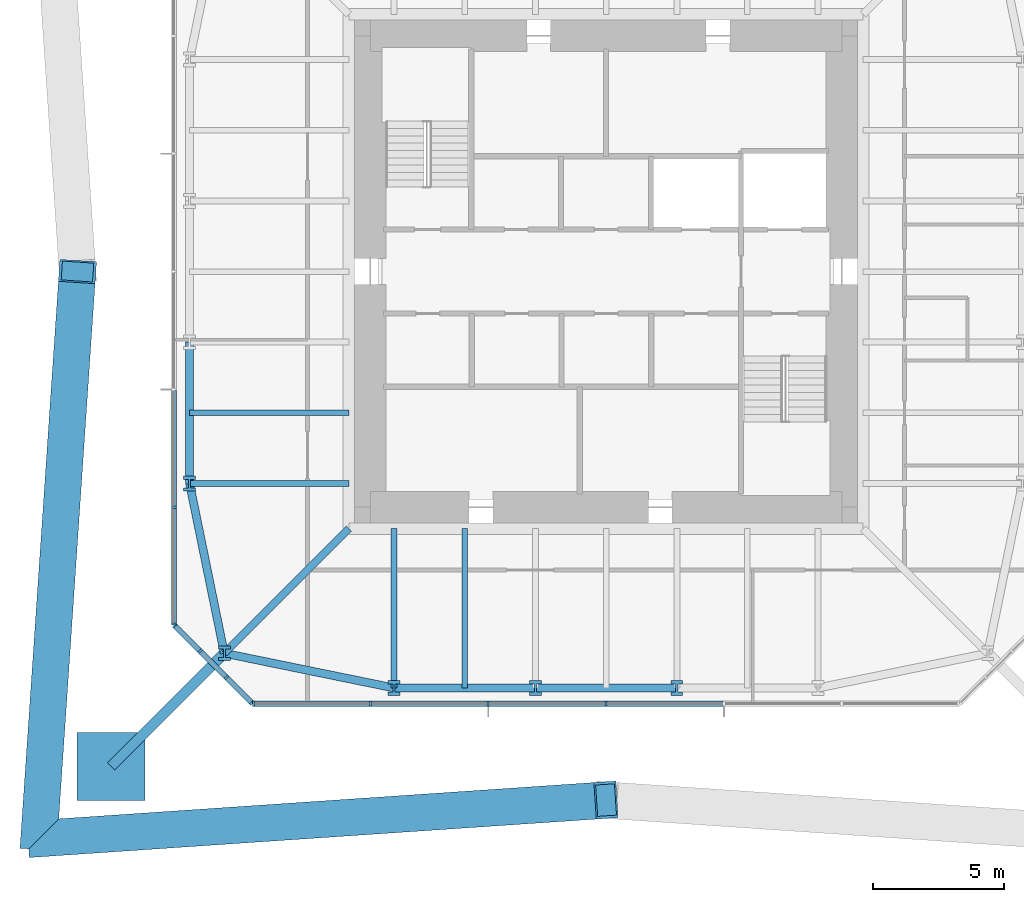
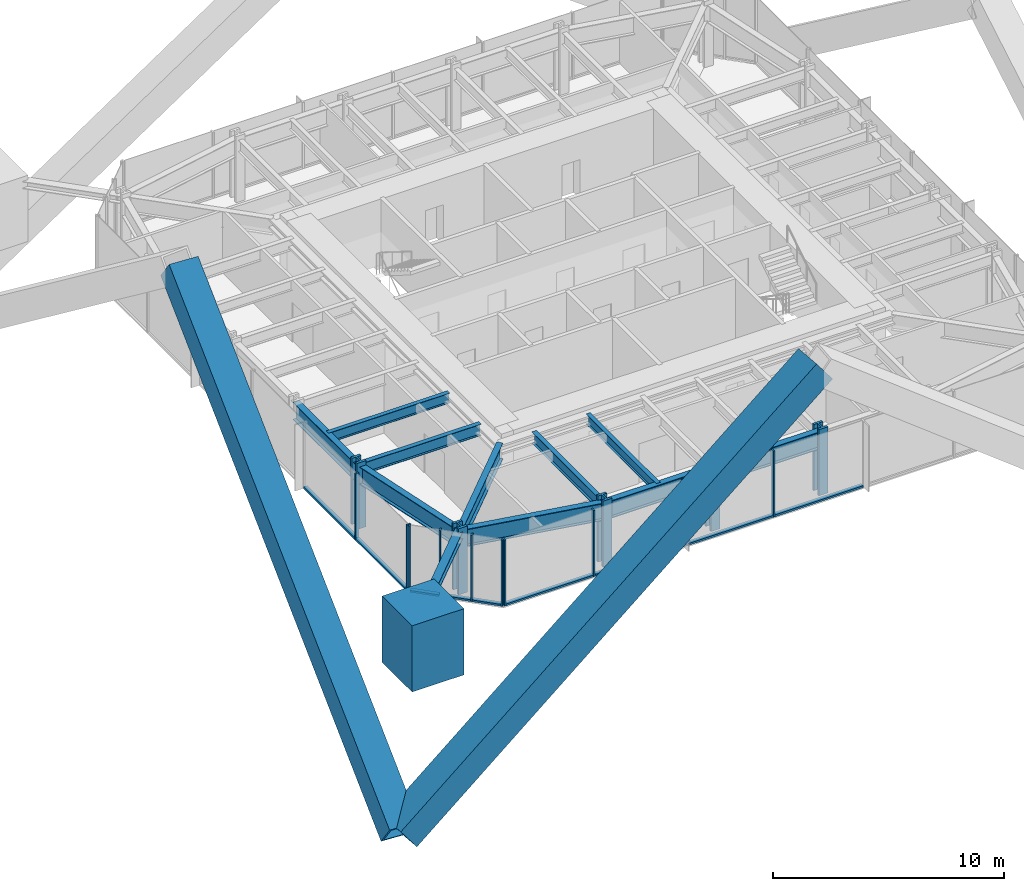
# One storey, part 1 of 11: 28 members, 10 beams, 3 elements without a shape of their own.
"""IFC4 building model written with IfcOpenShell, lengths in metres."""

from ifc_helpers import new_model, si_unit, direction, frame, origin, origin_2d, place, context, subcontext, project, spatial, rectangle, hollow_rectangle, i_section, extrude, material, material_profile, profile_set, type_object, element, aggregate, save


model = new_model("IFC4")

# Units and contexts
model_context = context("Model", 3, precision=1e-05, world=origin(), true_north=direction((0.0, 1.0)))
body_context = subcontext(model_context, "Body", "Model", "MODEL_VIEW")
ifc_project = project(units=[si_unit("LENGTHUNIT", "METRE"), si_unit("AREAUNIT", "SQUARE_METRE"), si_unit("VOLUMEUNIT", "CUBIC_METRE"), si_unit("PLANEANGLEUNIT", "RADIAN"), si_unit("MASSUNIT", "GRAM", prefix="KILO")], contexts=[model_context])

# Site, building, storey
site_placement = place(None, origin())
site = spatial("IfcSite", under=ifc_project, at=site_placement, CompositionType="ELEMENT")
building_placement = place(site_placement, origin())
building = spatial("IfcBuilding", under=site, at=building_placement, Name="Iwan Alto Co-Living Towers", CompositionType="ELEMENT")
storey_placement = place(building_placement, frame((0.0, 0.0, 215.0)))
storey = spatial("IfcBuildingStorey", under=building, at=storey_placement, Name="L58", CompositionType="ELEMENT", Elevation=215.0)

# Curtain wall, members
ifc_material_1 = material(Name="Bronze aluminium unitised frame", Category="aluminium")
curtain_wall_type_1 = type_object("IfcCurtainWallType", Name="CURTAIN WALL CW-A", PredefinedType="NOTDEFINED", material=ifc_material_1)
curtain_wall_1_placement = place(storey_placement, origin())
curtain_wall_1 = element("IfcCurtainWall", 1, at=curtain_wall_1_placement, inside=storey, type_object=curtain_wall_type_1, Name="T1 curtain wall S L58", PredefinedType="NOTDEFINED")
ifc_material_2 = material(Name="Aluminium 6063-T6 bronze anodised", Category="aluminium")
ifc_material_profile_1 = material_profile(ifc_material_2, rectangle(XDim=0.199951171875, YDim=0.080078125, at=origin_2d()), Name="AL 80X200")
ifc_profile_set_1 = profile_set([ifc_material_profile_1], Name="Aluminium 6063-T6 bronze anodised")
member_type_1 = type_object("IfcMemberType", Name="CW-A MULLION 80X200", PredefinedType="MULLION", material=ifc_profile_set_1)
member_1_placement = place(storey_placement, frame((-13.4599609375, -16.5, 0.0), z_axis=(0.0, 0.0, 1.0), x_axis=(0.0, 1.0, 0.0)))
member_1 = element("IfcMember", 2, at=member_1_placement, type_object=member_type_1, Name="CW-A mullion 1", PredefinedType="MULLION", context=body_context, shape_type="SweptSolid", body=[
    extrude(rectangle(XDim=0.199951171875, YDim=0.080078125, at=origin_2d()), origin(), (0.0, 0.0, 1.0), 3.5),
])
member_2_placement = place(storey_placement, frame((-9.0, -16.5, 0.0), z_axis=(0.0, 0.0, 1.0), x_axis=(0.0, 1.0, 0.0)))
member_2 = element("IfcMember", 3, at=member_2_placement, type_object=member_type_1, Name="CW-A mullion 2", PredefinedType="MULLION", context=body_context, shape_type="SweptSolid", body=[
    extrude(rectangle(XDim=0.199951171875, YDim=0.080078125, at=origin_2d()), origin(), (0.0, 0.0, 1.0), 3.5),
])
member_3_placement = place(storey_placement, frame((-4.5, -16.5, 0.0), z_axis=(0.0, 0.0, 1.0), x_axis=(0.0, 1.0, 0.0)))
member_3 = element("IfcMember", 4, at=member_3_placement, type_object=member_type_1, Name="CW-A mullion 3", PredefinedType="MULLION", context=body_context, shape_type="SweptSolid", body=[
    extrude(rectangle(XDim=0.199951171875, YDim=0.080078125, at=origin_2d()), origin(), (0.0, 0.0, 1.0), 3.5),
])
member_4_placement = place(storey_placement, frame((0.0, -16.5, 0.0), z_axis=(0.0, 0.0, 1.0), x_axis=(0.0, 1.0, 0.0)))
member_4 = element("IfcMember", 5, at=member_4_placement, type_object=member_type_1, Name="CW-A mullion 4", PredefinedType="MULLION", context=body_context, shape_type="SweptSolid", body=[
    extrude(rectangle(XDim=0.199951171875, YDim=0.080078125, at=origin_2d()), origin(), (0.0, 0.0, 1.0), 3.5),
])

curtain_wall_2_placement = place(storey_placement, origin())
curtain_wall_2 = element("IfcCurtainWall", 6, at=curtain_wall_2_placement, inside=storey, type_object=curtain_wall_type_1, Name="T1 curtain wall W L58", PredefinedType="NOTDEFINED")
member_5_placement = place(storey_placement, frame((-16.5, -9.0, 0.0), z_axis=(0.0, 0.0, 1.0), x_axis=(1.0, 0.0, 0.0)))
member_5 = element("IfcMember", 7, at=member_5_placement, type_object=member_type_1, Name="CW-A mullion 6", PredefinedType="MULLION", context=body_context, shape_type="SweptSolid", body=[
    extrude(rectangle(XDim=0.199951171875, YDim=0.080078125, at=origin_2d()), origin(), (0.0, 0.0, 1.0), 3.5),
])
member_6_placement = place(storey_placement, frame((-16.5, -13.4599609375, 0.0), z_axis=(0.0, 0.0, 1.0), x_axis=(1.0, 0.0, 0.0)))
member_6 = element("IfcMember", 8, at=member_6_placement, type_object=member_type_1, Name="CW-A mullion 7", PredefinedType="MULLION", context=body_context, shape_type="SweptSolid", body=[
    extrude(rectangle(XDim=0.199951171875, YDim=0.080078125, at=origin_2d()), origin(), (0.0, 0.0, 1.0), 3.5),
])

# Member
ifc_material_3 = material(Name="Aluminium 6063-T6 bronze anodised", Category="aluminium")
ifc_material_profile_2 = material_profile(ifc_material_3, rectangle(XDim=0.199951171875, YDim=0.10009765625, at=origin_2d()), Name="AL 200X100")
ifc_profile_set_2 = profile_set([ifc_material_profile_2], Name="Aluminium 6063-T6 bronze anodised")
member_type_2 = type_object("IfcMemberType", Name="CW-A TRANSOM 200X100", PredefinedType="USERDEFINED", material=ifc_profile_set_2)
member_7_placement = place(storey_placement, frame((-13.419921875, -16.5, 0.050048828125), z_axis=(1.0, 0.0, 0.0), x_axis=(0.0, 1.0, 0.0)))
member_7 = element("IfcMember", 9, at=member_7_placement, type_object=member_type_2, Name="CW-A transom 1.1", ObjectType="TRANSOM", PredefinedType="USERDEFINED", context=body_context, shape_type="SweptSolid", body=[
    extrude(rectangle(XDim=0.199951171875, YDim=0.10009765625, at=origin_2d()), origin(), (0.0, 0.0, 1.0), 4.3798828125),
])

member_8_placement = place(storey_placement, frame((-8.9599609375, -16.5, 0.050048828125), z_axis=(1.0, 0.0, 0.0), x_axis=(0.0, 1.0, 0.0)))
member_8 = element("IfcMember", 10, at=member_8_placement, type_object=member_type_2, Name="CW-A transom 2.1", ObjectType="TRANSOM", PredefinedType="USERDEFINED", context=body_context, shape_type="SweptSolid", body=[
    extrude(rectangle(XDim=0.199951171875, YDim=0.10009765625, at=origin_2d()), origin(), (0.0, 0.0, 1.0), 4.419921875),
])

member_9_placement = place(storey_placement, frame((-4.4599609375, -16.5, 0.050048828125), z_axis=(1.0, 0.0, 0.0), x_axis=(0.0, 1.0, 0.0)))
member_9 = element("IfcMember", 11, at=member_9_placement, type_object=member_type_2, Name="CW-A transom 3.1", ObjectType="TRANSOM", PredefinedType="USERDEFINED", context=body_context, shape_type="SweptSolid", body=[
    extrude(rectangle(XDim=0.199951171875, YDim=0.10009765625, at=origin_2d()), origin(), (0.0, 0.0, 1.0), 4.419921875),
])

member_10_placement = place(storey_placement, frame((0.0400390625, -16.5, 0.050048828125), z_axis=(1.0, 0.0, 0.0), x_axis=(0.0, 1.0, 0.0)))
member_10 = element("IfcMember", 12, at=member_10_placement, type_object=member_type_2, Name="CW-A transom 4.1", ObjectType="TRANSOM", PredefinedType="USERDEFINED", context=body_context, shape_type="SweptSolid", body=[
    extrude(rectangle(XDim=0.199951171875, YDim=0.10009765625, at=origin_2d()), origin(), (0.0, 0.0, 1.0), 4.419921875),
])

aggregate(curtain_wall_1, [member_1, member_2, member_3, member_4, member_7, member_8, member_9, member_10])

member_11_placement = place(storey_placement, frame((-16.5, -4.5400390625, 0.050048828125), z_axis=(0.0, -1.0, 0.0), x_axis=(1.0, 0.0, 0.0)))
member_11 = element("IfcMember", 13, at=member_11_placement, type_object=member_type_2, Name="CW-A transom 5.1", ObjectType="TRANSOM", PredefinedType="USERDEFINED", context=body_context, shape_type="SweptSolid", body=[
    extrude(rectangle(XDim=0.199951171875, YDim=0.10009765625, at=origin_2d()), origin(), (0.0, 0.0, 1.0), 4.419921875),
])

member_12_placement = place(storey_placement, frame((-16.5, -9.0400390625, 0.050048828125), z_axis=(0.0, -1.0, 0.0), x_axis=(1.0, 0.0, 0.0)))
member_12 = element("IfcMember", 14, at=member_12_placement, type_object=member_type_2, Name="CW-A transom 6.1", ObjectType="TRANSOM", PredefinedType="USERDEFINED", context=body_context, shape_type="SweptSolid", body=[
    extrude(rectangle(XDim=0.199951171875, YDim=0.10009765625, at=origin_2d()), origin(), (0.0, 0.0, 1.0), 4.3798828125),
])

aggregate(curtain_wall_2, [member_5, member_6, member_11, member_12])

# Curtain wall, members
ifc_material_4 = material(Name="Bronze aluminium unitised frame", Category="aluminium")
curtain_wall_type_2 = type_object("IfcCurtainWallType", Name="CURTAIN WALL CW-B", PredefinedType="NOTDEFINED", material=ifc_material_4)
curtain_wall_3_placement = place(storey_placement, origin())
curtain_wall_3 = element("IfcCurtainWall", 15, at=curtain_wall_3_placement, inside=storey, type_object=curtain_wall_type_2, Name="T1 chamfer curtain wall SW L58", PredefinedType="NOTDEFINED")
ifc_material_5 = material(Name="Aluminium 6063-T6 bronze anodised", Category="aluminium")
ifc_material_profile_3 = material_profile(ifc_material_5, rectangle(XDim=0.199951171875, YDim=0.080078125, at=origin_2d()), Name="AL 80X200")
ifc_profile_set_3 = profile_set([ifc_material_profile_3], Name="Aluminium 6063-T6 bronze anodised")
member_type_3 = type_object("IfcMemberType", Name="CW-B MULLION 80X200", PredefinedType="MULLION", material=ifc_profile_set_3)
member_13_placement = place(storey_placement, frame((-16.4716796875, -13.5283203125, 0.0), z_axis=(0.0, 0.0, 1.0), x_axis=(0.707106781187, 0.707106781187, 0.0)))
member_13 = element("IfcMember", 16, at=member_13_placement, type_object=member_type_3, Name="CW-B mullion 1", PredefinedType="MULLION", context=body_context, shape_type="SweptSolid", body=[
    extrude(rectangle(XDim=0.199951171875, YDim=0.080078125, at=origin_2d()), origin(), (0.0, 0.0, 1.0), 3.5),
])
member_14_placement = place(storey_placement, frame((-15.5, -14.5, 0.0), z_axis=(0.0, 0.0, 1.0), x_axis=(0.707106781187, 0.707106781187, 0.0)))
member_14 = element("IfcMember", 17, at=member_14_placement, type_object=member_type_3, Name="CW-B mullion 2", PredefinedType="MULLION", context=body_context, shape_type="SweptSolid", body=[
    extrude(rectangle(XDim=0.199951171875, YDim=0.080078125, at=origin_2d()), origin(), (0.0, 0.0, 1.0), 3.5),
])
member_15_placement = place(storey_placement, frame((-14.5, -15.5, 0.0), z_axis=(0.0, 0.0, 1.0), x_axis=(0.707106781187, 0.707106781187, 0.0)))
member_15 = element("IfcMember", 18, at=member_15_placement, type_object=member_type_3, Name="CW-B mullion 3", PredefinedType="MULLION", context=body_context, shape_type="SweptSolid", body=[
    extrude(rectangle(XDim=0.199951171875, YDim=0.080078125, at=origin_2d()), origin(), (0.0, 0.0, 1.0), 3.5),
])
member_16_placement = place(storey_placement, frame((-13.5283203125, -16.4716796875, 0.0), z_axis=(0.0, 0.0, 1.0), x_axis=(0.707106781187, 0.707106781187, 0.0)))
member_16 = element("IfcMember", 19, at=member_16_placement, type_object=member_type_3, Name="CW-B mullion 4", PredefinedType="MULLION", context=body_context, shape_type="SweptSolid", body=[
    extrude(rectangle(XDim=0.199951171875, YDim=0.080078125, at=origin_2d()), origin(), (0.0, 0.0, 1.0), 3.5),
])
ifc_material_6 = material(Name="Aluminium 6063-T6 bronze anodised", Category="aluminium")
ifc_material_profile_4 = material_profile(ifc_material_6, rectangle(XDim=0.199951171875, YDim=0.10009765625, at=origin_2d()), Name="AL 200X100")
ifc_profile_set_4 = profile_set([ifc_material_profile_4], Name="Aluminium 6063-T6 bronze anodised")
member_type_4 = type_object("IfcMemberType", Name="CW-B TRANSOM 200X100", PredefinedType="USERDEFINED", material=ifc_profile_set_4)
member_17_placement = place(storey_placement, frame((-16.443359375, -13.556640625, 0.050048828125), z_axis=(0.707106781187, -0.707106781187, 0.0), x_axis=(0.707106781187, 0.707106781187, 0.0)))
member_17 = element("IfcMember", 20, at=member_17_placement, type_object=member_type_4, Name="CW-B transom 1.1", ObjectType="TRANSOM", PredefinedType="USERDEFINED", context=body_context, shape_type="SweptSolid", body=[
    extrude(rectangle(XDim=0.199951171875, YDim=0.10009765625, at=origin_2d()), origin(), (0.0, 0.0, 1.0), 1.2939453125),
])
member_18_placement = place(storey_placement, frame((-15.4716796875, -14.5283203125, 0.050048828125), z_axis=(0.707106781187, -0.707106781187, 0.0), x_axis=(0.707106781187, 0.707106781187, 0.0)))
member_18 = element("IfcMember", 21, at=member_18_placement, type_object=member_type_4, Name="CW-B transom 2.1", ObjectType="TRANSOM", PredefinedType="USERDEFINED", context=body_context, shape_type="SweptSolid", body=[
    extrude(rectangle(XDim=0.199951171875, YDim=0.10009765625, at=origin_2d()), origin(), (0.0, 0.0, 1.0), 1.334228515625),
])
member_19_placement = place(storey_placement, frame((-14.4716796875, -15.5283203125, 0.050048828125), z_axis=(0.707106781187, -0.707106781187, 0.0), x_axis=(0.707106781187, 0.707106781187, 0.0)))
member_19 = element("IfcMember", 22, at=member_19_placement, type_object=member_type_4, Name="CW-B transom 3.1", ObjectType="TRANSOM", PredefinedType="USERDEFINED", context=body_context, shape_type="SweptSolid", body=[
    extrude(rectangle(XDim=0.199951171875, YDim=0.10009765625, at=origin_2d()), origin(), (0.0, 0.0, 1.0), 1.2939453125),
])
aggregate(curtain_wall_3, [member_13, member_14, member_15, member_16, member_17, member_18, member_19])

# Beams
ifc_material_7 = material(Name="Steel ASTM A992 Gr 50", Category="steel")
ifc_material_profile_5 = material_profile(ifc_material_7, i_section(OverallWidth=0.2919921875, OverallDepth=0.8408203125, WebThickness=0.0146484375, FlangeThickness=0.021728515625, at=origin_2d()), Name="W33X130")
ifc_profile_set_5 = profile_set([ifc_material_profile_5], Name="Steel ASTM A992 Gr 50")
beam_type_1 = type_object("IfcBeamType", Name="T1 CORNER GIRDER W33X130", PredefinedType="BEAM", material=ifc_profile_set_5)
beam_1_placement = place(storey_placement, frame((-14.57568359375, -14.57568359375, 2.849609375), z_axis=(0.707106781187, 0.707106781187, 0.0), x_axis=(-0.707106781187, 0.707106781187, 0.0)))
element("IfcBeam", 23, at=beam_1_placement, inside=storey, type_object=beam_type_1, Name="T1 corner girder CSW L59", PredefinedType="BEAM", context=body_context, shape_type="SweptSolid", body=[
    extrude(i_section(OverallWidth=0.2919921875, OverallDepth=0.8408203125, WebThickness=0.0146484375, FlangeThickness=0.021728515625, at=origin_2d()), origin(), (0.0, 0.0, 1.0), 6.727783203125),
])
ifc_material_8 = material(Name="Steel ASTM A992 Gr 50", Category="steel")
ifc_material_profile_6 = material_profile(ifc_material_8, i_section(OverallWidth=0.307373046875, OverallDepth=0.927001953125, WebThickness=0.01953125, FlangeThickness=0.031982421875, at=origin_2d()), Name="W36X194")
ifc_profile_set_6 = profile_set([ifc_material_profile_6], Name="Steel ASTM A992 Gr 50")
beam_type_2 = type_object("IfcBeamType", Name="T1 EDGE BEAM W36X194", PredefinedType="BEAM", material=ifc_profile_set_6)
beam_2_placement = place(storey_placement, frame((-14.57568359375, -14.57568359375, 2.806396484375), z_axis=(0.979724820103, -0.200347889618, 0.0), x_axis=(0.200347889618, 0.979724820103, 0.0)))
element("IfcBeam", 24, at=beam_2_placement, inside=storey, type_object=beam_type_2, Name="T1 edge beam CSW L59", PredefinedType="BEAM", context=body_context, shape_type="SweptSolid", body=[
    extrude(i_section(OverallWidth=0.307373046875, OverallDepth=0.927001953125, WebThickness=0.01953125, FlangeThickness=0.031982421875, at=origin_2d()), origin(), (0.0, 0.0, 1.0), 6.609619140625),
])
beam_3_placement = place(storey_placement, frame((-8.10009765625, -15.89990234375, 2.806396484375), z_axis=(1.0, 0.0, 0.0), x_axis=(0.0, 1.0, 0.0)))
element("IfcBeam", 25, at=beam_3_placement, inside=storey, type_object=beam_type_2, Name="T1 edge beam S1 L59", PredefinedType="BEAM", context=body_context, shape_type="SweptSolid", body=[
    extrude(i_section(OverallWidth=0.307373046875, OverallDepth=0.927001953125, WebThickness=0.01953125, FlangeThickness=0.031982421875, at=origin_2d()), origin(), (0.0, 0.0, 1.0), 5.400146484375),
])
beam_4_placement = place(storey_placement, frame((-2.699951171875, -15.89990234375, 2.806396484375), z_axis=(1.0, 0.0, 0.0), x_axis=(0.0, 1.0, 0.0)))
element("IfcBeam", 26, at=beam_4_placement, inside=storey, type_object=beam_type_2, Name="T1 edge beam S2 L59", PredefinedType="BEAM", context=body_context, shape_type="SweptSolid", body=[
    extrude(i_section(OverallWidth=0.307373046875, OverallDepth=0.927001953125, WebThickness=0.01953125, FlangeThickness=0.031982421875, at=origin_2d()), origin(), (0.0, 0.0, 1.0), 5.39990234375),
])
beam_5_placement = place(storey_placement, frame((-15.89990234375, -2.699951171875, 2.806396484375), z_axis=(0.0, -1.0, 0.0), x_axis=(1.0, 0.0, 0.0)))
element("IfcBeam", 27, at=beam_5_placement, inside=storey, type_object=beam_type_2, Name="T1 edge beam W3 L59", PredefinedType="BEAM", context=body_context, shape_type="SweptSolid", body=[
    extrude(i_section(OverallWidth=0.307373046875, OverallDepth=0.927001953125, WebThickness=0.01953125, FlangeThickness=0.031982421875, at=origin_2d()), origin(), (0.0, 0.0, 1.0), 5.400146484375),
])
beam_6_placement = place(storey_placement, frame((-15.89990234375, -8.10009765625, 2.806396484375), z_axis=(0.200347889618, -0.979724820103, 0.0), x_axis=(0.979724820103, 0.200347889618, 0.0)))
element("IfcBeam", 28, at=beam_6_placement, inside=storey, type_object=beam_type_2, Name="T1 edge beam W4 L59", PredefinedType="BEAM", context=body_context, shape_type="SweptSolid", body=[
    extrude(i_section(OverallWidth=0.307373046875, OverallDepth=0.927001953125, WebThickness=0.01953125, FlangeThickness=0.031982421875, at=origin_2d()), origin(), (0.0, 0.0, 1.0), 6.609619140625),
])

# Members
ifc_material_9 = material(Name="Steel ASTM A572 Gr 50", Category="steel")
ifc_material_profile_7 = material_profile(ifc_material_9, hollow_rectangle(XDim=1.39990234375, YDim=1.39990234375, WallThickness=0.10009765625, at=origin_2d()), Name="BOX 1400X1400X100")
ifc_profile_set_7 = profile_set([ifc_material_profile_7], Name="Steel ASTM A572 Gr 50")
member_type_5 = type_object("IfcMemberType", Name="T1 MEGA BRACE BOX 1400X1400X100", PredefinedType="BRACE", material=ifc_profile_set_7)
for number, where, z_axis, x_axis, name in (
    (29, (-21.64990234375, -21.64990234375, -6.0), (0.797999656611, 0.054119059235, 0.600223021448), (-0.067662975304, 0.997708234793, 0.0), "T1 mega brace Z4A S 1 lower"),
    (30, (-21.64990234375, -21.64990234375, -6.0), (0.054119059235, 0.797999656611, 0.600223021448), (-0.997708234793, 0.067662975304, 0.0), "T1 mega brace Z4A W 2 lower"),
):
    element("IfcMember", number, at=place(storey_placement, frame(where, z_axis=z_axis, x_axis=x_axis)), inside=storey, type_object=member_type_5, Name=name, PredefinedType="BRACE", context=body_context, shape_type="SweptSolid", body=[
        extrude(hollow_rectangle(XDim=1.39990234375, YDim=1.39990234375, WallThickness=0.10009765625, at=origin_2d()), origin(), (0.0, 0.0, 1.0), 27.130126953125),
    ])
ifc_material_10 = material(Name="Steel ASTM A992 Gr 50", Category="steel")
ifc_material_profile_8 = material_profile(ifc_material_10, i_section(OverallWidth=0.393798828125, OverallDepth=0.3759765625, WebThickness=0.017333984375, FlangeThickness=0.027587890625, at=origin_2d()), Name="W14X145")
ifc_profile_set_8 = profile_set([ifc_material_profile_8], Name="Steel ASTM A992 Gr 50")
member_type_6 = type_object("IfcMemberType", Name="T1 MEGA COLUMN FLOOR TIE W14X145", PredefinedType="STRUT", material=ifc_profile_set_8)
member_20_placement = place(storey_placement, frame((-18.89990234375, -18.89990234375, 3.08203125), z_axis=(0.707106781187, 0.707106781187, 0.0), x_axis=(-0.707106781187, 0.707106781187, 0.0)))
element("IfcMember", 31, at=member_20_placement, inside=storey, type_object=member_type_6, Name="T1 mega column floor tie SW L59", PredefinedType="STRUT", context=body_context, shape_type="SweptSolid", body=[
    extrude(i_section(OverallWidth=0.393798828125, OverallDepth=0.3759765625, WebThickness=0.017333984375, FlangeThickness=0.027587890625, at=origin_2d()), origin(), (0.0, 0.0, 1.0), 6.115478515625),
])
ifc_material_11 = material(Name="Concrete f'c 70 MPa", Category="concrete")
ifc_material_profile_9 = material_profile(ifc_material_11, rectangle(XDim=2.60009765625, YDim=2.60009765625, at=origin_2d()), Name="RC 2600X2600")
ifc_profile_set_9 = profile_set([ifc_material_profile_9], Name="Concrete f'c 70 MPa")
member_type_7 = type_object("IfcMemberType", Name="T1 MEGA POST AT STEP RC 2600X2600", PredefinedType="MEMBER", material=ifc_profile_set_9)
member_21_placement = place(storey_placement, frame((-18.89990234375, -18.89990234375, 0.0), z_axis=(0.0, 0.0, 1.0), x_axis=(1.0, 0.0, 0.0)))
element("IfcMember", 32, at=member_21_placement, inside=storey, type_object=member_type_7, Name="T1 mega post at step SW L58", PredefinedType="MEMBER", context=body_context, shape_type="SweptSolid", body=[
    extrude(rectangle(XDim=2.60009765625, YDim=2.60009765625, at=origin_2d()), origin(), (0.0, 0.0, 1.0), 3.5),
    extrude(i_section(OverallWidth=0.4775390625, OverallDepth=0.599365234375, WebThickness=0.10009765625, FlangeThickness=0.139892578125, at=origin_2d()), origin(), (0.0, 0.0, 1.0), 3.5),
])

# Beams
ifc_material_12 = material(Name="Steel ASTM A992 Gr 50", Category="steel")
ifc_material_profile_10 = material_profile(ifc_material_12, i_section(OverallWidth=0.228271484375, OverallDepth=0.607177734375, WebThickness=0.01123046875, FlangeThickness=0.017333984375, at=origin_2d()), Name="W24X76")
ifc_profile_set_10 = profile_set([ifc_material_profile_10], Name="Steel ASTM A992 Gr 50")
beam_type_3 = type_object("IfcBeamType", Name="T1 RADIAL BEAM W24X76", PredefinedType="BEAM", material=ifc_profile_set_10)
for number, where, z_axis, x_axis, name in (
    (33, (-8.10009765625, -15.89990234375, 2.966552734375), (0.0, 1.0, 0.0), (-1.0, 0.0, 0.0), "T1 radial beam S1 L59"),
    (34, (-15.89990234375, -8.10009765625, 2.966552734375), (1.0, 0.0, 0.0), (0.0, 1.0, 0.0), "T1 radial beam W4 L59"),
):
    element("IfcBeam", number, at=place(storey_placement, frame(where, z_axis=z_axis, x_axis=x_axis)), inside=storey, type_object=beam_type_3, Name=name, PredefinedType="BEAM", context=body_context, shape_type="SweptSolid", body=[
        extrude(i_section(OverallWidth=0.228271484375, OverallDepth=0.607177734375, WebThickness=0.01123046875, FlangeThickness=0.017333984375, at=origin_2d()), origin(), (0.0, 0.0, 1.0), 6.08154296875),
    ])

# Members
ifc_material_13 = material(Name="Steel ASTM A992 Gr 50", Category="steel")
ifc_material_profile_11 = material_profile(ifc_material_13, i_section(OverallWidth=0.45458984375, OverallDepth=0.56884765625, WebThickness=0.077880859375, FlangeThickness=0.124755859375, at=origin_2d()), Name="W14X730")
ifc_profile_set_11 = profile_set([ifc_material_profile_11], Name="Steel ASTM A992 Gr 50")
member_type_8 = type_object("IfcMemberType", Name="T1 RING POST AT STEP W14X730", PredefinedType="MEMBER", material=ifc_profile_set_11)
for number, where, z_axis, x_axis, name in (
    (35, (-14.57568359375, -14.57568359375, 0.0), (0.0, 0.0, 1.0), (1.0, 0.0, 0.0), "T1 ring post at step CSW L58"),
    (36, (-8.10009765625, -15.89990234375, 0.0), (0.0, 0.0, 1.0), (1.0, 0.0, 0.0), "T1 ring post at step S1 L58"),
    (37, (-2.699951171875, -15.89990234375, 0.0), (0.0, 0.0, 1.0), (1.0, 0.0, 0.0), "T1 ring post at step S2 L58"),
    (38, (2.699951171875, -15.89990234375, 0.0), (0.0, 0.0, 1.0), (1.0, 0.0, 0.0), "T1 ring post at step S3 L58"),
    (39, (-15.89990234375, -8.10009765625, 0.0), (0.0, 0.0, 1.0), (1.0, 0.0, 0.0), "T1 ring post at step W4 L58"),
):
    element("IfcMember", number, at=place(storey_placement, frame(where, z_axis=z_axis, x_axis=x_axis)), inside=storey, type_object=member_type_8, Name=name, PredefinedType="MEMBER", context=body_context, shape_type="SweptSolid", body=[
        extrude(i_section(OverallWidth=0.45458984375, OverallDepth=0.56884765625, WebThickness=0.077880859375, FlangeThickness=0.124755859375, at=origin_2d()), origin(), (0.0, 0.0, 1.0), 3.5),
    ])

# Beams
ifc_material_14 = material(Name="Steel ASTM A992 Gr 50", Category="steel")
ifc_material_profile_12 = material_profile(ifc_material_14, i_section(OverallWidth=0.209228515625, OverallDepth=0.533447265625, WebThickness=0.01025390625, FlangeThickness=0.015625, at=origin_2d()), Name="W21X62")
ifc_profile_set_12 = profile_set([ifc_material_profile_12], Name="Steel ASTM A992 Gr 50")
beam_type_4 = type_object("IfcBeamType", Name="T1 SECONDARY BEAM W21X62", PredefinedType="JOIST", material=ifc_profile_set_12)
for number, where, z_axis, x_axis, name in (
    (40, (-5.39990234375, -15.89990234375, 3.00341796875), (0.0, 1.0, 0.0), (-1.0, 0.0, 0.0), "T1 secondary beam S1 L59"),
    (41, (-15.89990234375, -5.39990234375, 3.00341796875), (1.0, 0.0, 0.0), (0.0, 1.0, 0.0), "T1 secondary beam W3 L59"),
):
    element("IfcBeam", number, at=place(storey_placement, frame(where, z_axis=z_axis, x_axis=x_axis)), inside=storey, type_object=beam_type_4, Name=name, PredefinedType="JOIST", context=body_context, shape_type="SweptSolid", body=[
        extrude(i_section(OverallWidth=0.209228515625, OverallDepth=0.533447265625, WebThickness=0.01025390625, FlangeThickness=0.015625, at=origin_2d()), origin(), (0.0, 0.0, 1.0), 6.08154296875),
    ])

save(model, "model.ifc")
